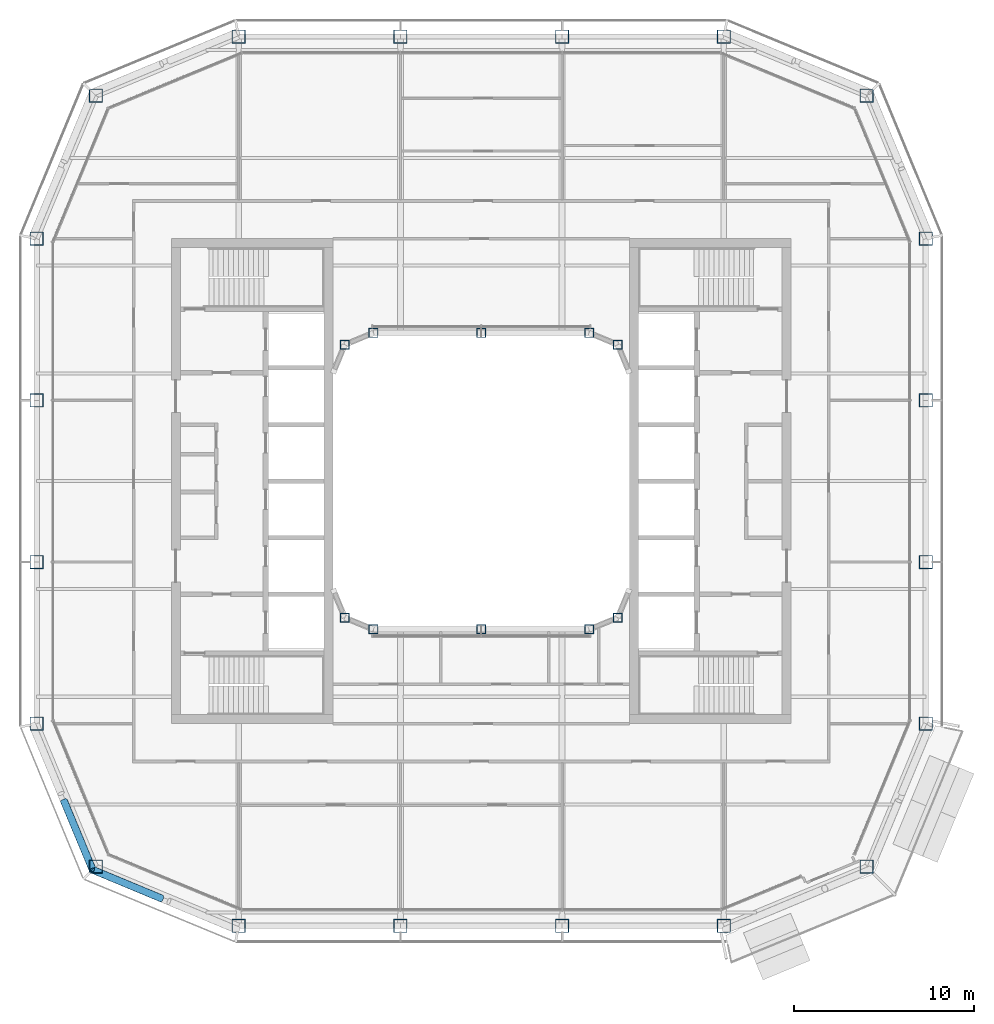
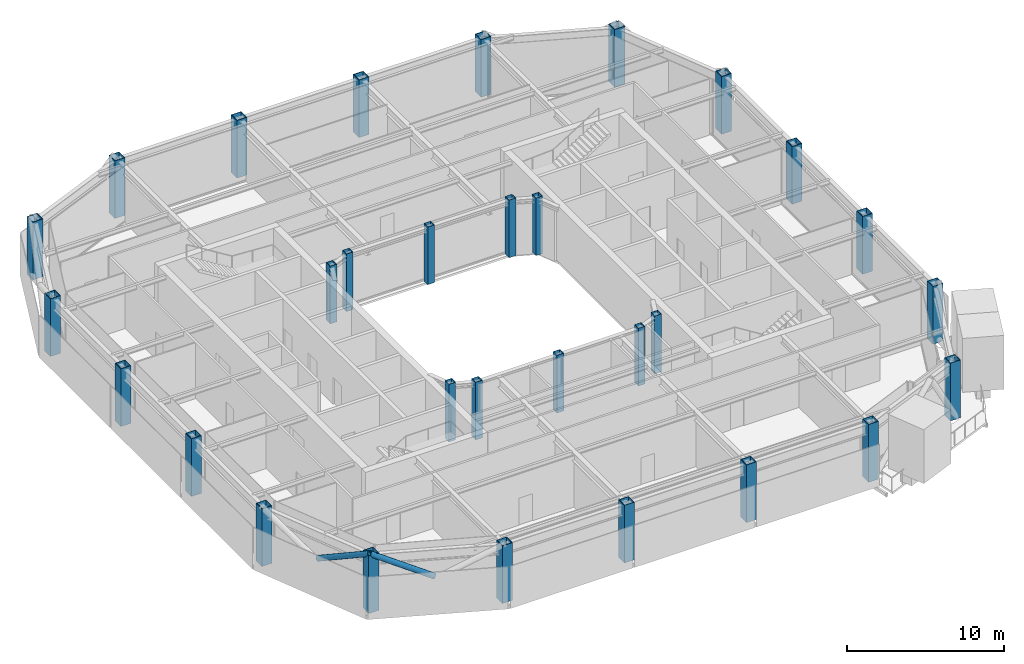
# One storey, part 1 of 21: 30 columns, 2 members.
"""IFC4 building model written with IfcOpenShell, lengths in metres."""

from ifc_helpers import new_model, si_unit, direction, frame, origin, origin_2d, place, context, subcontext, project, spatial, hollow_rectangle, hollow_circle, extrude, material, material_profile, profile_set, type_object, element, save


model = new_model("IFC4")

# Units and contexts
model_context = context("Model", 3, precision=1e-05, world=origin(), true_north=direction((0.0, 1.0)))
body_context = subcontext(model_context, "Body", "Model", "MODEL_VIEW")
ifc_project = project(units=[si_unit("LENGTHUNIT", "METRE"), si_unit("AREAUNIT", "SQUARE_METRE"), si_unit("VOLUMEUNIT", "CUBIC_METRE"), si_unit("PLANEANGLEUNIT", "RADIAN"), si_unit("MASSUNIT", "GRAM", prefix="KILO")], contexts=[model_context])

# Site, building, storey
site_placement = place(None, origin())
site = spatial("IfcSite", under=ifc_project, at=site_placement, CompositionType="ELEMENT")
building_placement = place(site_placement, origin())
building = spatial("IfcBuilding", under=site, at=building_placement, Name="Siwar Civic Tower", CompositionType="ELEMENT")
storey_placement = place(building_placement, frame((0.0, 0.0, 303.199951171875)))
storey = spatial("IfcBuildingStorey", under=building, at=storey_placement, Name="L65", CompositionType="ELEMENT", Elevation=303.199951171875)

# Columns
ifc_material_1 = material(Name="Steel S355", Category="steel")
ifc_material_profile_1 = material_profile(ifc_material_1, hollow_rectangle(XDim=0.75, YDim=0.75, WallThickness=0.0400390625, at=origin_2d()), Name="BOX750x750x40")
ifc_profile_set_1 = profile_set([ifc_material_profile_1], Name="Steel S355")
column_type_1 = type_object("IfcColumnType", Name="STR-COL-BOX750x750x40", PredefinedType="COLUMN", material=ifc_profile_set_1)
for number, where, z_axis, x_axis, name in (
    (1, (-13.5, -24.75, 0.0), (0.0, 0.0, 1.0), (1.0, 0.0, 0.0), "L65/col/S-0"),
    (2, (-4.5, -24.75, 0.0), (0.0, 0.0, 1.0), (1.0, 0.0, 0.0), "L65/col/S-1"),
    (3, (4.5, -24.75, 0.0), (0.0, 0.0, 1.0), (1.0, 0.0, 0.0), "L65/col/S-2"),
    (4, (13.5, -24.75, 0.0), (0.0, 0.0, 1.0), (1.0, 0.0, 0.0), "L65/col/SE1-0"),
    (5, (21.454833984375, -21.454833984375, 0.0), (0.0, 0.0, 1.0), (1.0, 0.0, 0.0), "L65/col/SE2-0"),
    (6, (24.75, -13.5, 0.0), (0.0, 0.0, 1.0), (1.0, 0.0, 0.0), "L65/col/E-0"),
    (7, (24.75, -4.5, 0.0), (0.0, 0.0, 1.0), (1.0, 0.0, 0.0), "L65/col/E-1"),
    (8, (24.75, 4.5, 0.0), (0.0, 0.0, 1.0), (1.0, 0.0, 0.0), "L65/col/E-2"),
    (9, (24.75, 13.5, 0.0), (0.0, 0.0, 1.0), (1.0, 0.0, 0.0), "L65/col/NE1-0"),
    (10, (21.454833984375, 21.454833984375, 0.0), (0.0, 0.0, 1.0), (1.0, 0.0, 0.0), "L65/col/NE2-0"),
    (11, (13.5, 24.75, 0.0), (0.0, 0.0, 1.0), (1.0, 0.0, 0.0), "L65/col/N-0"),
    (12, (4.5, 24.75, 0.0), (0.0, 0.0, 1.0), (1.0, 0.0, 0.0), "L65/col/N-1"),
    (13, (-4.5, 24.75, 0.0), (0.0, 0.0, 1.0), (1.0, 0.0, 0.0), "L65/col/N-2"),
    (14, (-13.5, 24.75, 0.0), (0.0, 0.0, 1.0), (1.0, 0.0, 0.0), "L65/col/NW1-0"),
    (15, (-21.454833984375, 21.454833984375, 0.0), (0.0, 0.0, 1.0), (1.0, 0.0, 0.0), "L65/col/NW2-0"),
    (16, (-24.75, 13.5, 0.0), (0.0, 0.0, 1.0), (1.0, 0.0, 0.0), "L65/col/W-0"),
    (17, (-24.75, 4.5, 0.0), (0.0, 0.0, 1.0), (1.0, 0.0, 0.0), "L65/col/W-1"),
    (18, (-24.75, -4.5, 0.0), (0.0, 0.0, 1.0), (1.0, 0.0, 0.0), "L65/col/W-2"),
    (19, (-24.75, -13.5, 0.0), (0.0, 0.0, 1.0), (1.0, 0.0, 0.0), "L65/col/SW1-0"),
    (20, (-21.454833984375, -21.454833984375, 0.0), (0.0, 0.0, 1.0), (1.0, 0.0, 0.0), "L65/col/SW2-0"),
):
    element("IfcColumn", number, at=place(storey_placement, frame(where, z_axis=z_axis, x_axis=x_axis)), inside=storey, type_object=column_type_1, Name=name, PredefinedType="COLUMN", context=body_context, shape_type="SweptSolid", body=[
        extrude(hollow_rectangle(XDim=0.75, YDim=0.75, WallThickness=0.0400390625, at=origin_2d()), origin(), (0.0, 0.0, 1.0), 4.5),
    ])
ifc_material_2 = material(Name="Steel S355", Category="steel")
ifc_material_profile_2 = material_profile(ifc_material_2, hollow_rectangle(XDim=0.5, YDim=0.5, WallThickness=0.02490234375, at=origin_2d()), Name="BOX500x500x25")
ifc_profile_set_2 = profile_set([ifc_material_profile_2], Name="Steel S355")
column_type_2 = type_object("IfcColumnType", Name="STR-ICOL-BOX500x500x25", PredefinedType="COLUMN", material=ifc_profile_set_2)
for number, where, z_axis, x_axis, name in (
    (21, (-7.591064453125, -7.591064453125, 0.0), (0.0, 0.0, 1.0), (1.0, 0.0, 0.0), "L65/col/IS-0"),
    (22, (-6.0, -8.25, 0.0), (0.0, 0.0, 1.0), (1.0, 0.0, 0.0), "L65/col/IS-1"),
    (23, (0.0, -8.25, 0.0), (0.0, 0.0, 1.0), (1.0, 0.0, 0.0), "L65/col/IS-2"),
    (24, (6.0, -8.25, 0.0), (0.0, 0.0, 1.0), (1.0, 0.0, 0.0), "L65/col/IS-3"),
    (25, (7.591064453125, -7.591064453125, 0.0), (0.0, 0.0, 1.0), (1.0, 0.0, 0.0), "L65/col/IS-4"),
    (26, (-7.591064453125, 7.591064453125, 0.0), (0.0, 0.0, 1.0), (1.0, 0.0, 0.0), "L65/col/IN-0"),
    (27, (-6.0, 8.25, 0.0), (0.0, 0.0, 1.0), (1.0, 0.0, 0.0), "L65/col/IN-1"),
    (28, (0.0, 8.25, 0.0), (0.0, 0.0, 1.0), (1.0, 0.0, 0.0), "L65/col/IN-2"),
    (29, (6.0, 8.25, 0.0), (0.0, 0.0, 1.0), (1.0, 0.0, 0.0), "L65/col/IN-3"),
    (30, (7.591064453125, 7.591064453125, 0.0), (0.0, 0.0, 1.0), (1.0, 0.0, 0.0), "L65/col/IN-4"),
):
    element("IfcColumn", number, at=place(storey_placement, frame(where, z_axis=z_axis, x_axis=x_axis)), inside=storey, type_object=column_type_2, Name=name, PredefinedType="COLUMN", context=body_context, shape_type="SweptSolid", body=[
        extrude(hollow_rectangle(XDim=0.5, YDim=0.5, WallThickness=0.02490234375, at=origin_2d()), origin(), (0.0, 0.0, 1.0), 4.5),
    ])

# Members
ifc_material_3 = material(Name="Steel S355", Category="steel")
ifc_material_profile_3 = material_profile(ifc_material_3, hollow_circle(Radius=0.203125, WallThickness=0.01611328125, at=origin_2d()), Name="CHS406.4x16")
ifc_profile_set_3 = profile_set([ifc_material_profile_3], Name="Steel S355")
member_type = type_object("IfcMemberType", Name="STR-BR-CHS406.4x16", PredefinedType="BRACE", material=ifc_profile_set_3)
for number, where, z_axis, x_axis, name in (
    (31, (-17.791259765625, -23.229736328125, 2.362060546875), (-0.821166691915, 0.341652533125, 0.457120127208), (-0.38413607648, -0.923276488787, 0.0), "L65/brc/DSW1-4-0-3"),
    (32, (-23.229736328125, -17.791259765625, 2.362060546875), (0.341652533125, -0.821166691915, 0.457120127208), (0.923276488787, 0.38413607648, 0.0), "L65/brc/DSW1-4-0-5"),
):
    element("IfcMember", number, at=place(storey_placement, frame(where, z_axis=z_axis, x_axis=x_axis)), inside=storey, type_object=member_type, Name=name, PredefinedType="BRACE", context=body_context, shape_type="SweptSolid", body=[
        extrude(hollow_circle(Radius=0.203125, WallThickness=0.01611328125, at=origin_2d()), origin(), (0.0, 0.0, 1.0), 4.677001953125),
    ])

save(model, "model.ifc")
